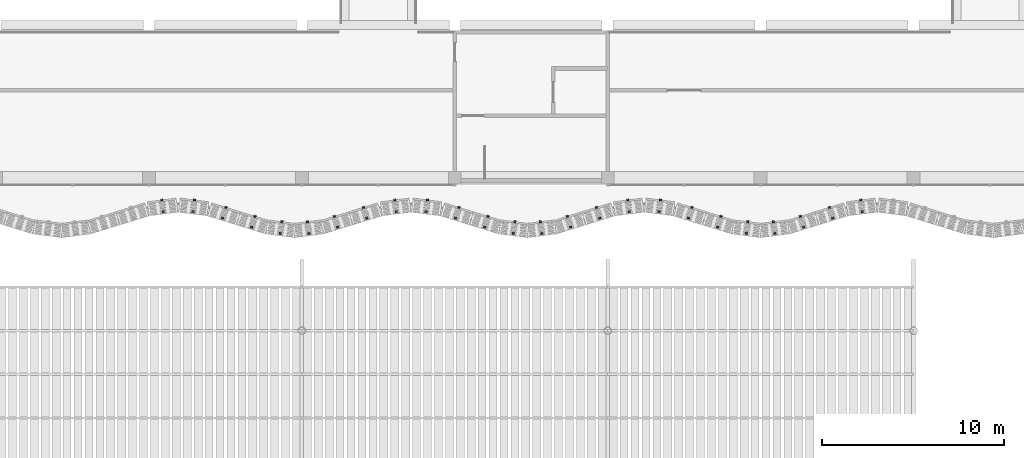
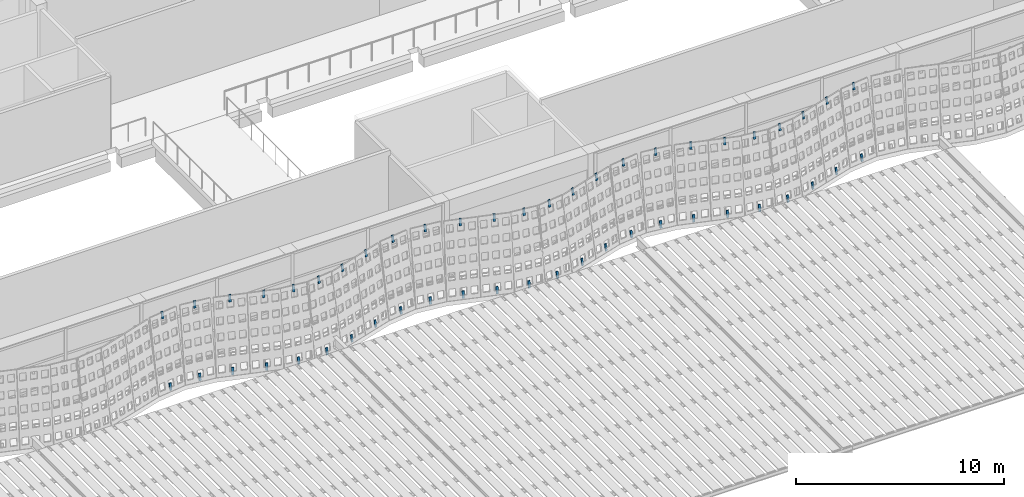
# One storey, part 108 of 162: 50 discrete accessories.
"""IFC4 building model written with IfcOpenShell, lengths in metres."""

from ifc_helpers import new_model, si_unit, direction, frame, origin, origin_2d, place, context, subcontext, project, spatial, rectangle, extrude, material, material_profile, profile_set, type_object, element, save


model = new_model("IFC4")

# Units and contexts
model_context = context("Model", 3, precision=1e-05, world=origin(), true_north=direction((0.0, 1.0)))
body_context = subcontext(model_context, "Body", "Model", "MODEL_VIEW")
ifc_project = project(units=[si_unit("LENGTHUNIT", "METRE"), si_unit("AREAUNIT", "SQUARE_METRE"), si_unit("VOLUMEUNIT", "CUBIC_METRE"), si_unit("PLANEANGLEUNIT", "RADIAN"), si_unit("MASSUNIT", "GRAM", prefix="KILO")], contexts=[model_context])

# Site, building, storey
site_placement = place(None, origin())
site = spatial("IfcSite", under=ifc_project, at=site_placement, CompositionType="ELEMENT")
building_placement = place(site_placement, origin())
building = spatial("IfcBuilding", under=site, at=building_placement, Name="Rain Tree Exposition and Congress Centre", CompositionType="ELEMENT")
storey_placement = place(building_placement, frame((0.0, 0.0, 6.0)))
storey = spatial("IfcBuildingStorey", under=building, at=storey_placement, Name="L01", CompositionType="ELEMENT", Elevation=6.0)

# Discrete accessories
ifc_material = material(Name="Steel S355J2", Category="steel")
ifc_material_profile = material_profile(ifc_material, rectangle(XDim=0.1201171875, YDim=0.050048828125, at=origin_2d()), Name="Flat bar 120x50")
ifc_profile_set = profile_set([ifc_material_profile], Name="Steel S355J2")
discrete_accessory_type = type_object("IfcDiscreteAccessoryType", Name="Screen bracket 120x50", PredefinedType="BRACKET", material=ifc_profile_set)
for number, where, z_axis, x_axis, name in (
    (1, (101.50537109375, 74.336181640625, 3.851318359375), (-0.020753706516, 0.162977636468, 0.986411462665), (-0.991989449114, -0.12632075382, 0.0), "concourse/bracket/L01/0641t"),
    (2, (101.586669921875, 73.701416015625, 0.004150390625), (-0.020753706516, 0.162977636468, 0.986411462665), (-0.991989449114, -0.12632075382, 0.0), "concourse/bracket/L01/0641b"),
    (3, (103.294677734375, 74.336181640625, 3.851318359375), (0.020753706516, 0.162977636468, 0.986411462665), (-0.991989449114, 0.12632075382, 0.0), "concourse/bracket/L01/0651t"),
    (4, (103.21337890625, 73.701416015625, 0.004150390625), (0.020753706516, 0.162977636468, 0.986411462665), (-0.991989449114, 0.12632075382, 0.0), "concourse/bracket/L01/0651b"),
):
    element("IfcDiscreteAccessory", number, at=place(storey_placement, frame(where, z_axis=z_axis, x_axis=x_axis)), inside=storey, type_object=discrete_accessory_type, Name=name, PredefinedType="BRACKET", context=body_context, shape_type="SweptSolid", body=[
        extrude(rectangle(XDim=0.1201171875, YDim=0.050048828125, at=origin_2d()), origin(), (0.0, 0.0, 1.0), 0.39990234375),
    ])
for number, where, z_axis, x_axis, name in (
    (5, (105.01318359375, 73.936279296875, 3.85107421875), (0.04699262887, 0.150742588713, 0.987455500152), (-0.954686073127, 0.297614686764, 0.0), "concourse/bracket/L01/0661t"),
    (6, (104.8310546875, 73.347412109375, 0.00390625), (0.04637938116, 0.151343243786, 0.9873926147), (-0.956111824862, 0.293002010845, 0.0), "concourse/bracket/L01/0661b"),
    (7, (106.60986328125, 73.4423828125, 3.85107421875), (0.04699262887, 0.150742588713, 0.987455500152), (-0.954686073127, 0.297614686764, 0.0), "concourse/bracket/L01/0671t"),
    (8, (106.427734375, 72.853515625, 0.00390625), (0.046383656621, 0.150746884018, 0.987483637007), (-0.955779008722, 0.294085848838, 0.0), "concourse/bracket/L01/0671b"),
):
    element("IfcDiscreteAccessory", number, at=place(storey_placement, frame(where, z_axis=z_axis, x_axis=x_axis)), inside=storey, type_object=discrete_accessory_type, Name=name, PredefinedType="BRACKET", context=body_context, shape_type="SweptSolid", body=[
        extrude(rectangle(XDim=0.1201171875, YDim=0.050048828125, at=origin_2d()), origin(), (0.0, 0.0, 1.0), 0.400146484375),
    ])
for number, where, z_axis, x_axis, name in (
    (9, (108.093017578125, 73.141357421875, 3.851318359375), (0.020753706516, 0.162977636468, 0.986411462665), (-0.991989449114, 0.12632075382, 0.0), "concourse/bracket/L01/0681t"),
    (10, (108.01171875, 72.506591796875, 0.004150390625), (0.020753706516, 0.162977636468, 0.986411462665), (-0.991989449114, 0.12632075382, 0.0), "concourse/bracket/L01/0681b"),
    (11, (109.507080078125, 73.141357421875, 3.851318359375), (-0.021363835031, 0.162975541524, 0.986398783159), (-0.991517377774, -0.129974188098, 0.0), "concourse/bracket/L01/0691t"),
    (12, (109.58837890625, 72.506591796875, 0.004150390625), (-0.020753706516, 0.162977636468, 0.986411462665), (-0.991989449114, -0.12632075382, 0.0), "concourse/bracket/L01/0691b"),
):
    element("IfcDiscreteAccessory", number, at=place(storey_placement, frame(where, z_axis=z_axis, x_axis=x_axis)), inside=storey, type_object=discrete_accessory_type, Name=name, PredefinedType="BRACKET", context=body_context, shape_type="SweptSolid", body=[
        extrude(rectangle(XDim=0.1201171875, YDim=0.050048828125, at=origin_2d()), origin(), (0.0, 0.0, 1.0), 0.39990234375),
    ])
for number, where, z_axis, x_axis, name in (
    (13, (110.989990234375, 73.4423828125, 3.85107421875), (-0.046383656621, 0.150746884018, 0.987483637007), (-0.955779008722, -0.294085848838, 0.0), "concourse/bracket/L01/0701t"),
    (14, (111.17236328125, 72.853515625, 0.00390625), (-0.04699262887, 0.150742588713, 0.987455500152), (-0.954686073127, -0.297614686764, 0.0), "concourse/bracket/L01/0701b"),
    (15, (112.5869140625, 73.936279296875, 3.85107421875), (-0.04699262887, 0.150742588713, 0.987455500152), (-0.954686073127, -0.297614686764, 0.0), "concourse/bracket/L01/0711t"),
    (16, (112.76904296875, 73.347412109375, 0.00390625), (-0.046988297524, 0.151338932283, 0.987364485624), (-0.955026538869, -0.296520336665, 0.0), "concourse/bracket/L01/0711b"),
):
    element("IfcDiscreteAccessory", number, at=place(storey_placement, frame(where, z_axis=z_axis, x_axis=x_axis)), inside=storey, type_object=discrete_accessory_type, Name=name, PredefinedType="BRACKET", context=body_context, shape_type="SweptSolid", body=[
        extrude(rectangle(XDim=0.1201171875, YDim=0.050048828125, at=origin_2d()), origin(), (0.0, 0.0, 1.0), 0.400146484375),
    ])
for number, where, z_axis, x_axis, name in (
    (17, (114.305419921875, 74.336181640625, 3.851318359375), (-0.020753706516, 0.162977636468, 0.986411462665), (-0.991989449114, -0.12632075382, 0.0), "concourse/bracket/L01/0721t"),
    (18, (114.38671875, 73.701416015625, 0.004150390625), (-0.020753706516, 0.162977636468, 0.986411462665), (-0.991989449114, -0.12632075382, 0.0), "concourse/bracket/L01/0721b"),
    (19, (116.0947265625, 74.336181640625, 3.851318359375), (0.020753706516, 0.162977636468, 0.986411462665), (-0.991989449114, 0.12632075382, 0.0), "concourse/bracket/L01/0731t"),
    (20, (116.013427734375, 73.701416015625, 0.004150390625), (0.020753706516, 0.162977636468, 0.986411462665), (-0.991989449114, 0.12632075382, 0.0), "concourse/bracket/L01/0731b"),
):
    element("IfcDiscreteAccessory", number, at=place(storey_placement, frame(where, z_axis=z_axis, x_axis=x_axis)), inside=storey, type_object=discrete_accessory_type, Name=name, PredefinedType="BRACKET", context=body_context, shape_type="SweptSolid", body=[
        extrude(rectangle(XDim=0.1201171875, YDim=0.050048828125, at=origin_2d()), origin(), (0.0, 0.0, 1.0), 0.39990234375),
    ])
for number, where, z_axis, x_axis, name in (
    (21, (117.813232421875, 73.936279296875, 3.85107421875), (0.046383656621, 0.150746884018, 0.987483637007), (-0.955779008722, 0.294085848838, 0.0), "concourse/bracket/L01/0741t"),
    (22, (117.631103515625, 73.347412109375, 0.00390625), (0.04637938116, 0.151343243786, 0.9873926147), (-0.956111824862, 0.293002010845, 0.0), "concourse/bracket/L01/0741b"),
    (23, (119.409912109375, 73.4423828125, 3.85107421875), (0.04699262887, 0.150742588713, 0.987455500152), (-0.954686073127, 0.297614686764, 0.0), "concourse/bracket/L01/0751t"),
    (24, (119.227783203125, 72.853515625, 0.00390625), (0.046383656621, 0.150746884018, 0.987483637007), (-0.955779008722, 0.294085848838, 0.0), "concourse/bracket/L01/0751b"),
):
    element("IfcDiscreteAccessory", number, at=place(storey_placement, frame(where, z_axis=z_axis, x_axis=x_axis)), inside=storey, type_object=discrete_accessory_type, Name=name, PredefinedType="BRACKET", context=body_context, shape_type="SweptSolid", body=[
        extrude(rectangle(XDim=0.1201171875, YDim=0.050048828125, at=origin_2d()), origin(), (0.0, 0.0, 1.0), 0.400146484375),
    ])
for number, where, z_axis, x_axis, name in (
    (25, (120.89306640625, 73.141357421875, 3.851318359375), (0.020753706516, 0.162977636468, 0.986411462665), (-0.991989449114, 0.12632075382, 0.0), "concourse/bracket/L01/0761t"),
    (26, (120.811767578125, 72.506591796875, 0.004150390625), (0.020753706516, 0.162977636468, 0.986411462665), (-0.991989449114, 0.12632075382, 0.0), "concourse/bracket/L01/0761b"),
    (27, (122.306884765625, 73.141357421875, 3.851318359375), (-0.020753706516, 0.162977636468, 0.986411462665), (-0.991989449114, -0.12632075382, 0.0), "concourse/bracket/L01/0771t"),
    (28, (122.38818359375, 72.506591796875, 0.004150390625), (-0.020753706516, 0.162977636468, 0.986411462665), (-0.991989449114, -0.12632075382, 0.0), "concourse/bracket/L01/0771b"),
):
    element("IfcDiscreteAccessory", number, at=place(storey_placement, frame(where, z_axis=z_axis, x_axis=x_axis)), inside=storey, type_object=discrete_accessory_type, Name=name, PredefinedType="BRACKET", context=body_context, shape_type="SweptSolid", body=[
        extrude(rectangle(XDim=0.1201171875, YDim=0.050048828125, at=origin_2d()), origin(), (0.0, 0.0, 1.0), 0.39990234375),
    ])
for number, where, z_axis, x_axis, name in (
    (29, (123.7900390625, 73.4423828125, 3.85107421875), (-0.046383656621, 0.150746884018, 0.987483637007), (-0.955779008722, -0.294085848838, 0.0), "concourse/bracket/L01/0781t"),
    (30, (123.972412109375, 72.853515625, 0.00390625), (-0.04699262887, 0.150742588713, 0.987455500152), (-0.954686073127, -0.297614686764, 0.0), "concourse/bracket/L01/0781b"),
    (31, (125.38671875, 73.936279296875, 3.85107421875), (-0.046383656621, 0.150746884018, 0.987483637007), (-0.955779008722, -0.294085848838, 0.0), "concourse/bracket/L01/0791t"),
    (32, (125.569091796875, 73.347412109375, 0.00390625), (-0.046988297524, 0.151338932283, 0.987364485624), (-0.955026538869, -0.296520336665, 0.0), "concourse/bracket/L01/0791b"),
):
    element("IfcDiscreteAccessory", number, at=place(storey_placement, frame(where, z_axis=z_axis, x_axis=x_axis)), inside=storey, type_object=discrete_accessory_type, Name=name, PredefinedType="BRACKET", context=body_context, shape_type="SweptSolid", body=[
        extrude(rectangle(XDim=0.1201171875, YDim=0.050048828125, at=origin_2d()), origin(), (0.0, 0.0, 1.0), 0.400146484375),
    ])
for number, where, z_axis, x_axis, name in (
    (33, (127.105224609375, 74.336181640625, 3.851318359375), (-0.020753706516, 0.162977636468, 0.986411462665), (-0.991989449114, -0.12632075382, 0.0), "concourse/bracket/L01/0801t"),
    (34, (127.1865234375, 73.701416015625, 0.004150390625), (-0.020753706516, 0.162977636468, 0.986411462665), (-0.991989449114, -0.12632075382, 0.0), "concourse/bracket/L01/0801b"),
    (35, (128.894775390625, 74.336181640625, 3.851318359375), (0.020753706516, 0.162977636468, 0.986411462665), (-0.991989449114, 0.12632075382, 0.0), "concourse/bracket/L01/0811t"),
    (36, (128.8134765625, 73.701416015625, 0.004150390625), (0.020753706516, 0.162977636468, 0.986411462665), (-0.991989449114, 0.12632075382, 0.0), "concourse/bracket/L01/0811b"),
):
    element("IfcDiscreteAccessory", number, at=place(storey_placement, frame(where, z_axis=z_axis, x_axis=x_axis)), inside=storey, type_object=discrete_accessory_type, Name=name, PredefinedType="BRACKET", context=body_context, shape_type="SweptSolid", body=[
        extrude(rectangle(XDim=0.1201171875, YDim=0.050048828125, at=origin_2d()), origin(), (0.0, 0.0, 1.0), 0.39990234375),
    ])
for number, where, z_axis, x_axis, name in (
    (37, (130.61328125, 73.936279296875, 3.85107421875), (0.046383656621, 0.150746884018, 0.987483637007), (-0.955779008722, 0.294085848838, 0.0), "concourse/bracket/L01/0821t"),
    (38, (130.430908203125, 73.347412109375, 0.00390625), (0.046988297524, 0.151338932283, 0.987364485624), (-0.955026538869, 0.296520336665, 0.0), "concourse/bracket/L01/0821b"),
    (39, (132.2099609375, 73.4423828125, 3.85107421875), (0.046383656621, 0.150746884018, 0.987483637007), (-0.955779008722, 0.294085848838, 0.0), "concourse/bracket/L01/0831t"),
    (40, (132.027587890625, 72.853515625, 0.00390625), (0.04699262887, 0.150742588713, 0.987455500152), (-0.954686073127, 0.297614686764, 0.0), "concourse/bracket/L01/0831b"),
):
    element("IfcDiscreteAccessory", number, at=place(storey_placement, frame(where, z_axis=z_axis, x_axis=x_axis)), inside=storey, type_object=discrete_accessory_type, Name=name, PredefinedType="BRACKET", context=body_context, shape_type="SweptSolid", body=[
        extrude(rectangle(XDim=0.1201171875, YDim=0.050048828125, at=origin_2d()), origin(), (0.0, 0.0, 1.0), 0.400146484375),
    ])
for number, where, z_axis, x_axis, name in (
    (41, (133.693115234375, 73.141357421875, 3.851318359375), (0.020753706516, 0.162977636468, 0.986411462665), (-0.991989449114, 0.12632075382, 0.0), "concourse/bracket/L01/0841t"),
    (42, (133.61181640625, 72.506591796875, 0.004150390625), (0.020753706516, 0.162977636468, 0.986411462665), (-0.991989449114, 0.12632075382, 0.0), "concourse/bracket/L01/0841b"),
    (43, (135.10693359375, 73.141357421875, 3.851318359375), (-0.020753706516, 0.162977636468, 0.986411462665), (-0.991989449114, -0.12632075382, 0.0), "concourse/bracket/L01/0851t"),
    (44, (135.188232421875, 72.506591796875, 0.004150390625), (-0.020753706516, 0.162977636468, 0.986411462665), (-0.991989449114, -0.12632075382, 0.0), "concourse/bracket/L01/0851b"),
):
    element("IfcDiscreteAccessory", number, at=place(storey_placement, frame(where, z_axis=z_axis, x_axis=x_axis)), inside=storey, type_object=discrete_accessory_type, Name=name, PredefinedType="BRACKET", context=body_context, shape_type="SweptSolid", body=[
        extrude(rectangle(XDim=0.1201171875, YDim=0.050048828125, at=origin_2d()), origin(), (0.0, 0.0, 1.0), 0.39990234375),
    ])
for number, where, z_axis, x_axis, name in (
    (45, (136.590087890625, 73.4423828125, 3.85107421875), (-0.04699262887, 0.150742588713, 0.987455500152), (-0.954686073127, -0.297614686764, 0.0), "concourse/bracket/L01/0861t"),
    (46, (136.772216796875, 72.853515625, 0.00390625), (-0.046383656621, 0.150746884018, 0.987483637007), (-0.955779008722, -0.294085848838, 0.0), "concourse/bracket/L01/0861b"),
    (47, (138.186767578125, 73.936279296875, 3.85107421875), (-0.046383656621, 0.150746884018, 0.987483637007), (-0.955779008722, -0.294085848838, 0.0), "concourse/bracket/L01/0871t"),
    (48, (138.368896484375, 73.347412109375, 0.00390625), (-0.04637938116, 0.151343243786, 0.9873926147), (-0.956111824862, -0.293002010845, 0.0), "concourse/bracket/L01/0871b"),
):
    element("IfcDiscreteAccessory", number, at=place(storey_placement, frame(where, z_axis=z_axis, x_axis=x_axis)), inside=storey, type_object=discrete_accessory_type, Name=name, PredefinedType="BRACKET", context=body_context, shape_type="SweptSolid", body=[
        extrude(rectangle(XDim=0.1201171875, YDim=0.050048828125, at=origin_2d()), origin(), (0.0, 0.0, 1.0), 0.400146484375),
    ])
for number, where, z_axis, x_axis, name in (
    (49, (139.9052734375, 74.336181640625, 3.851318359375), (-0.020753706516, 0.162977636468, 0.986411462665), (-0.991989449114, -0.12632075382, 0.0), "concourse/bracket/L01/0881t"),
    (50, (139.986572265625, 73.701416015625, 0.004150390625), (-0.020753706516, 0.162977636468, 0.986411462665), (-0.991989449114, -0.12632075382, 0.0), "concourse/bracket/L01/0881b"),
):
    element("IfcDiscreteAccessory", number, at=place(storey_placement, frame(where, z_axis=z_axis, x_axis=x_axis)), inside=storey, type_object=discrete_accessory_type, Name=name, PredefinedType="BRACKET", context=body_context, shape_type="SweptSolid", body=[
        extrude(rectangle(XDim=0.1201171875, YDim=0.050048828125, at=origin_2d()), origin(), (0.0, 0.0, 1.0), 0.39990234375),
    ])

save(model, "model.ifc")
